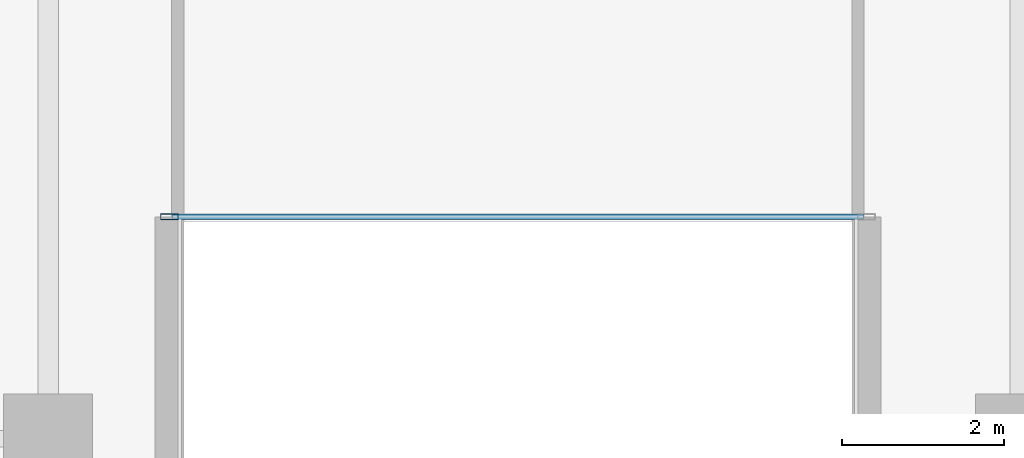
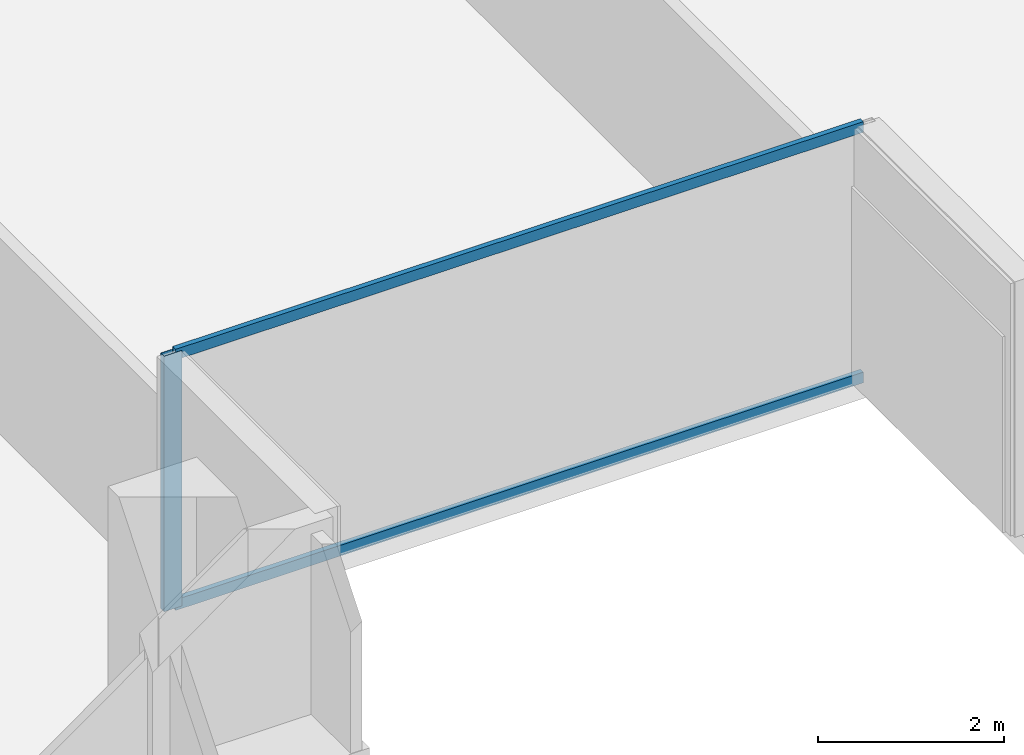
# One storey, part 2 of 25: 3 members, 1 element without a shape of its own.
"""IFC4 building model written with IfcOpenShell, lengths in metres."""

from ifc_helpers import new_model, si_unit, direction, frame, origin, origin_2d, place, context, subcontext, project, spatial, hollow_rectangle, extrude, material, layer, layer_set, material_profile, profile_set, type_object, element, aggregate, save


model = new_model("IFC4")

# Units and contexts
model_context = context("Model", 3, precision=1e-05, world=origin(), true_north=direction((0.0, 1.0)))
body_context = subcontext(model_context, "Body", "Model", "MODEL_VIEW")
ifc_project = project(units=[si_unit("LENGTHUNIT", "METRE"), si_unit("AREAUNIT", "SQUARE_METRE"), si_unit("VOLUMEUNIT", "CUBIC_METRE"), si_unit("PLANEANGLEUNIT", "RADIAN"), si_unit("MASSUNIT", "GRAM", prefix="KILO")], contexts=[model_context])

# Site, building, storey
site_placement = place(None, origin())
site = spatial("IfcSite", under=ifc_project, at=site_placement, CompositionType="ELEMENT")
building_placement = place(site_placement, origin())
building = spatial("IfcBuilding", under=site, at=building_placement, Name="Tanjung Sevakor Pilgrim Tower", CompositionType="ELEMENT")
storey_placement = place(building_placement, frame((0.0, 0.0, 69.6298828125)))
storey = spatial("IfcBuildingStorey", under=building, at=storey_placement, Name="L19", CompositionType="ELEMENT", Elevation=69.6298828125)

# Curtain wall, members
ifc_material_1 = material(Name="Aluminium 6063-T6 and Low-E Glass", Category="aluminium")
ifc_layer = layer(ifc_material_1, 0.179931640625)
ifc_layer_set = layer_set([ifc_layer], Name="CW-SYS-CLEFT")
curtain_wall_type = type_object("IfcCurtainWallType", Name="CW-SYS-CLEFT", PredefinedType="NOTDEFINED", material=ifc_layer_set)
curtain_wall_placement = place(storey_placement, origin())
curtain_wall = element("IfcCurtainWall", 1, at=curtain_wall_placement, inside=storey, type_object=curtain_wall_type, Name="L19 Curtain Wall CW-CLF-L19-2", PredefinedType="NOTDEFINED")
ifc_material_2 = material(Name="Aluminium 6063-T6", Category="aluminium")
ifc_material_profile_1 = material_profile(ifc_material_2, hollow_rectangle(XDim=0.074951171875, YDim=0.219970703125, WallThickness=0.0048828125, at=origin_2d()))
ifc_profile_set_1 = profile_set([ifc_material_profile_1], Name="Aluminium 6063-T6")
member_type_1 = type_object("IfcMemberType", Name="TYPE-CWM-2", PredefinedType="MULLION", material=ifc_profile_set_1)
member_1_placement = place(storey_placement, frame((43.49755859375, 11.139892578125, 0.0), z_axis=(0.0, 0.0, 1.0), x_axis=(0.0, 1.0, 0.0)))
member_1 = element("IfcMember", 2, at=member_1_placement, type_object=member_type_1, Name="CW-CLF mullion 1", PredefinedType="MULLION", context=body_context, shape_type="SweptSolid", body=[
    extrude(hollow_rectangle(XDim=0.074951171875, YDim=0.219970703125, WallThickness=0.0048828125, at=origin_2d()), origin(), (0.0, 0.0, 1.0), 3.35009765625),
])
ifc_material_3 = material(Name="Aluminium 6063-T6", Category="aluminium")
ifc_material_profile_2 = material_profile(ifc_material_3, hollow_rectangle(XDim=0.06494140625, YDim=0.139892578125, WallThickness=0.00390625, at=origin_2d()))
ifc_profile_set_2 = profile_set([ifc_material_profile_2], Name="Aluminium 6063-T6")
member_type_2 = type_object("IfcMemberType", Name="TYPE-CWT-1", PredefinedType="USERDEFINED", material=ifc_profile_set_2)
member_2_placement = place(storey_placement, frame((43.534912109375, 11.139892578125, 0.03271484375), z_axis=(1.0, 0.0, 0.0), x_axis=(0.0, 1.0, 0.0)))
member_2 = element("IfcMember", 3, at=member_2_placement, type_object=member_type_2, Name="CW-CLF transom 1.1", ObjectType="TRANSOM", PredefinedType="USERDEFINED", context=body_context, shape_type="SweptSolid", body=[
    extrude(hollow_rectangle(XDim=0.06494140625, YDim=0.139892578125, WallThickness=0.00390625, at=origin_2d()), origin(), (0.0, 0.0, 1.0), 8.530029296875),
])
member_3_placement = place(storey_placement, frame((43.534912109375, 11.139892578125, 3.317626953125), z_axis=(1.0, 0.0, 0.0), x_axis=(0.0, 1.0, 0.0)))
member_3 = element("IfcMember", 4, at=member_3_placement, type_object=member_type_2, Name="CW-CLF transom 1.2", ObjectType="TRANSOM", PredefinedType="USERDEFINED", context=body_context, shape_type="SweptSolid", body=[
    extrude(hollow_rectangle(XDim=0.06494140625, YDim=0.139892578125, WallThickness=0.00390625, at=origin_2d()), origin(), (0.0, 0.0, 1.0), 8.530029296875),
])
aggregate(curtain_wall, [member_1, member_2, member_3])

save(model, "model.ifc")
